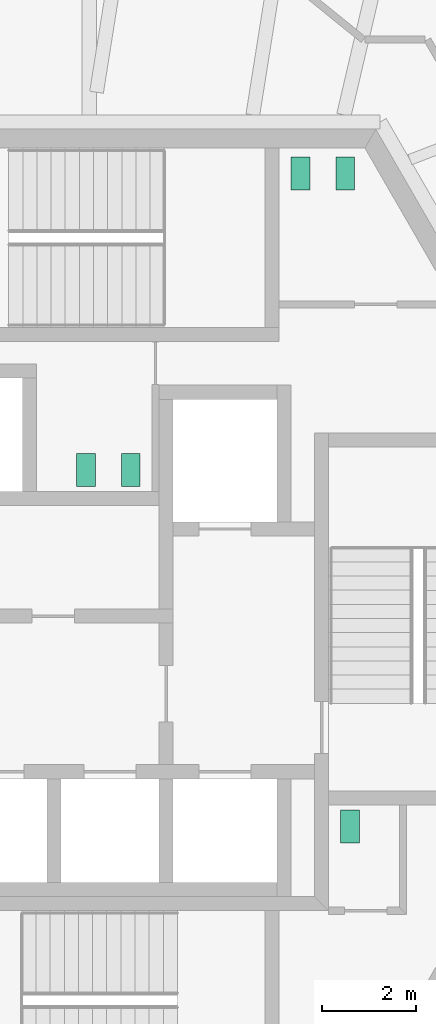
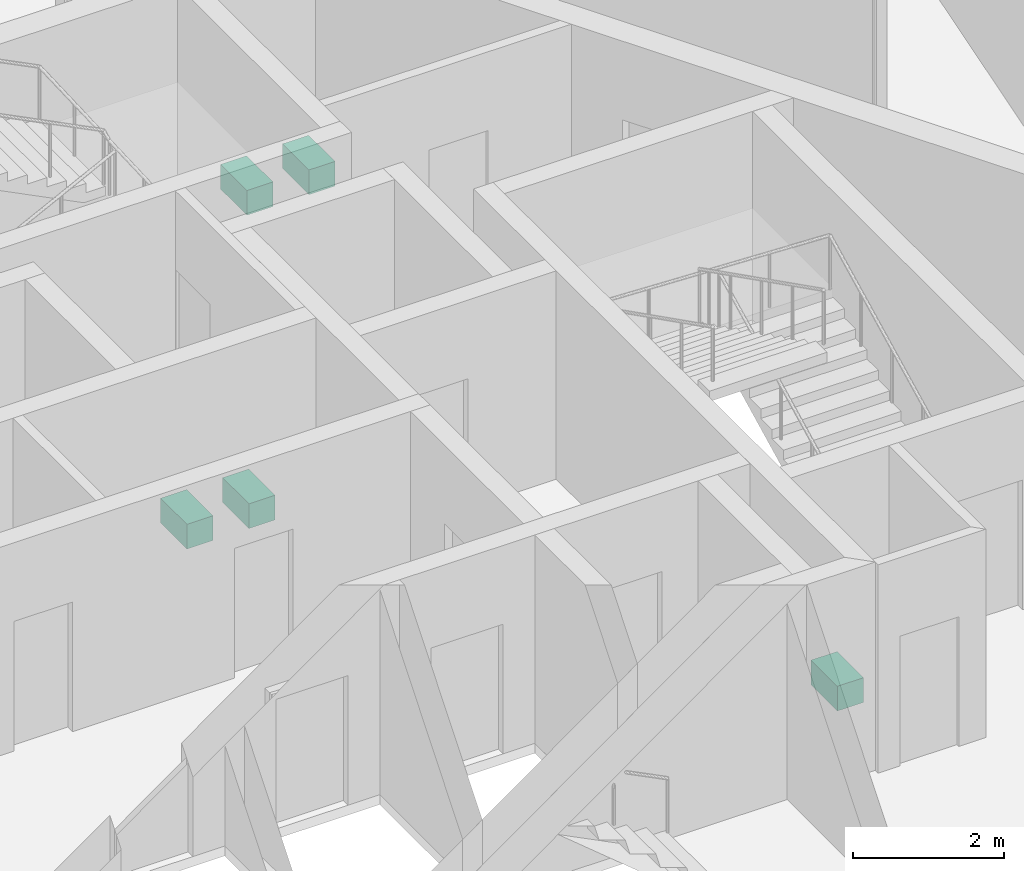
# One storey, part 21 of 23: 5 sanitary terminals.
"""IFC4 building model written with IfcOpenShell, lengths in metres."""

from ifc_helpers import new_model, si_unit, direction, frame, origin, origin_2d, place, context, subcontext, project, spatial, rectangle, extrude, source, transform, mapped, material, element, save


model = new_model("IFC4")

# Units and contexts
model_context = context("Model", 3, precision=1e-05, world=origin(), true_north=direction((0.0, 1.0)))
body_context = subcontext(model_context, "Body", "Model", "MODEL_VIEW")
ifc_project = project(units=[si_unit("LENGTHUNIT", "METRE"), si_unit("AREAUNIT", "SQUARE_METRE"), si_unit("VOLUMEUNIT", "CUBIC_METRE"), si_unit("PLANEANGLEUNIT", "RADIAN"), si_unit("MASSUNIT", "GRAM", prefix="KILO")], contexts=[model_context])

# Site, building, storey
site_placement = place(None, origin())
site = spatial("IfcSite", under=ifc_project, at=site_placement, CompositionType="ELEMENT")
building_placement = place(site_placement, origin())
building = spatial("IfcBuilding", under=site, at=building_placement, Name="Triune Harvest Tower", CompositionType="ELEMENT")
storey_placement = place(building_placement, frame((0.0, 0.0, 171.300048828125)))
storey = spatial("IfcBuildingStorey", under=building, at=storey_placement, Name="L44", CompositionType="ELEMENT", Elevation=171.300048828125)

# Sanitary terminals
ifc_material = material(Name="Vitreous china")
shared_shape = source(origin(), body_context, "Body", "SweptSolid", [
    extrude(rectangle(XDim=0.39990234375, YDim=0.699951171875, at=origin_2d()), origin(), (0.0, 0.0, 1.0), 0.39990234375),
])
for number, where, z_axis, x_axis, name in (
    (1, (4.39990234375, 9.449951171875, 0.0), (0.0, 0.0, 1.0), (1.0, 0.0, 0.0), "Toilet pan L44.c01"),
    (2, (5.35009765625, 9.449951171875, 0.0), (0.0, 0.0, 1.0), (1.0, 0.0, 0.0), "Toilet pan L44.c02"),
    (3, (0.800048828125, 3.159912109375, 0.0), (0.0, 0.0, 1.0), (-1.0, 0.0, 0.0), "Toilet pan L44.c03"),
    (4, (-0.14990234375, 3.159912109375, 0.0), (0.0, 0.0, 1.0), (-1.0, 0.0, 0.0), "Toilet pan L44.c04"),
    (5, (5.449951171875, -4.39990234375, 0.0), (0.0, 0.0, 1.0), (1.0, 0.0, 0.0), "Toilet pan L44.c05"),
):
    element("IfcSanitaryTerminal", number, at=place(storey_placement, frame(where, z_axis=z_axis, x_axis=x_axis)), inside=storey, material=ifc_material, Name=name, PredefinedType="TOILETPAN", context=body_context, shape_type="MappedRepresentation", body=[
        mapped(shared_shape, transform((0.0, 0.0, 0.0), scale=1.0)),
    ])

save(model, "model.ifc")
